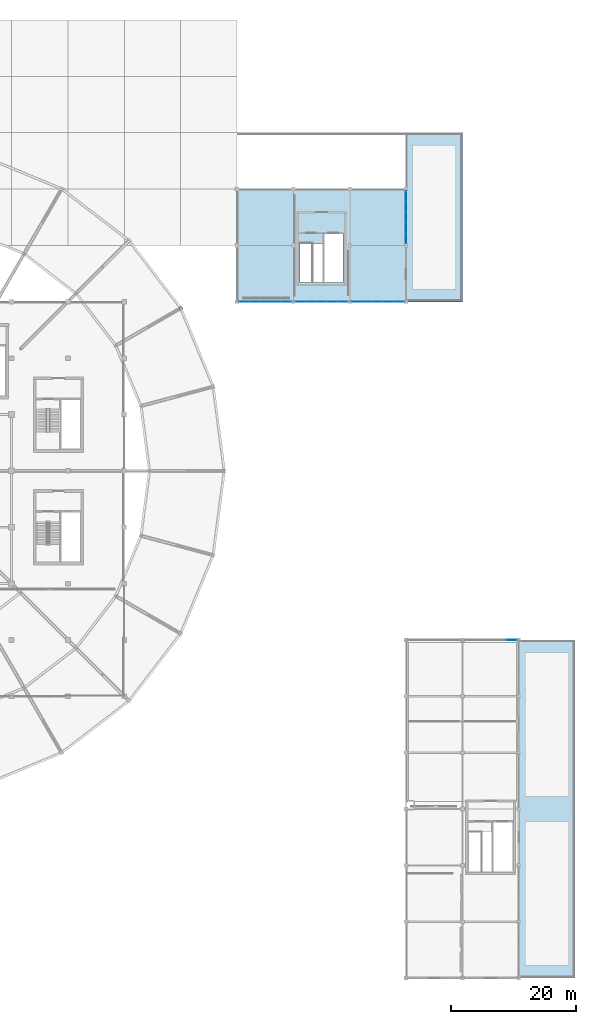
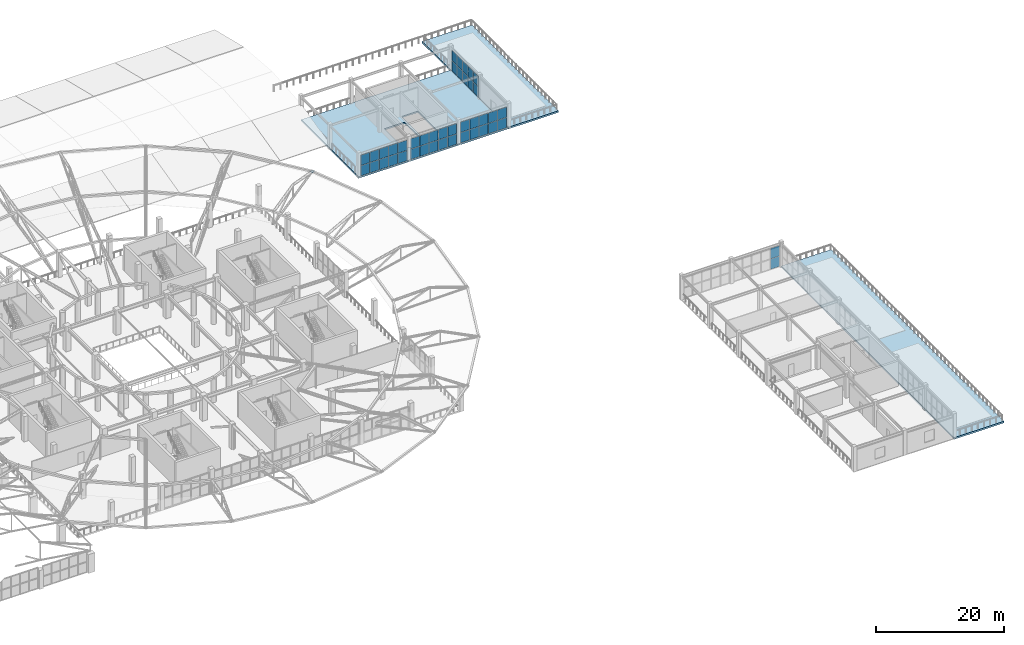
# One storey, part 122 of 167: 43 plates, 3 slabs, 5 elements without a shape of their own.
"""IFC4 building model written with IfcOpenShell, lengths in metres."""

from ifc_helpers import new_model, si_unit, direction, frame, origin, origin_2d, place, context, subcontext, project, spatial, polyline, rectangle, outline, extrude, material, layer, layer_set, type_object, element, aggregate, save


model = new_model("IFC4")

# Units and contexts
model_context = context("Model", 3, precision=1e-05, world=origin(), true_north=direction((0.0, 1.0)))
body_context = subcontext(model_context, "Body", "Model", "MODEL_VIEW")
ifc_project = project(units=[si_unit("LENGTHUNIT", "METRE"), si_unit("AREAUNIT", "SQUARE_METRE"), si_unit("VOLUMEUNIT", "CUBIC_METRE"), si_unit("PLANEANGLEUNIT", "RADIAN"), si_unit("MASSUNIT", "GRAM", prefix="KILO")], contexts=[model_context])

# Site, building, storey
site_placement = place(None, origin())
site = spatial("IfcSite", under=ifc_project, at=site_placement, CompositionType="ELEMENT")
building_placement = place(site_placement, origin())
building = spatial("IfcBuilding", under=site, at=building_placement, Name="Dornveld Trade and Exhibition Forum", CompositionType="ELEMENT")
storey_placement = place(building_placement, frame((0.0, 0.0, 16.800048828125)))
storey = spatial("IfcBuildingStorey", under=building, at=storey_placement, Name="L03", CompositionType="ELEMENT", Elevation=16.800048828125)

# Curtain wall, plates
ifc_material_1 = material(Name="Dark-bronze anodised aluminium and low-E glass", Category="aluminium")
ifc_layer_1 = layer(ifc_material_1, 0.180908203125)
ifc_layer_set_1 = layer_set([ifc_layer_1], Name="Dark-bronze anodised aluminium and low-E glass")
curtain_wall_type_1 = type_object("IfcCurtainWallType", Name="CW-SYS-13", PredefinedType="USERDEFINED", material=ifc_layer_set_1)
curtain_wall_1_placement = place(storey_placement, origin())
curtain_wall_1 = element("IfcCurtainWall", 1, at=curtain_wall_1_placement, inside=storey, type_object=curtain_wall_type_1, Name="L03 unitised curtain wall 121", ObjectType="UNITISED_CURTAIN_WALL", PredefinedType="USERDEFINED")
ifc_material_2 = material(Name="Double-glazed low-E solar control glass", Category="glass")
ifc_layer_2 = layer(ifc_material_2, 0.02587890625)
ifc_layer_set_2 = layer_set([ifc_layer_2], Name="Double-glazed low-E solar control glass")
plate_type_1 = type_object("IfcPlateType", Name="CW-PNL-01", PredefinedType="CURTAIN_PANEL", material=ifc_layer_set_2)
plate_1_placement = place(storey_placement, frame((190.15185546875, 108.0, 0.055908203125), z_axis=(0.0, 0.0, 1.0), x_axis=(1.0, 0.0, 0.0)))
plate_1 = element("IfcPlate", 2, at=plate_1_placement, type_object=plate_type_1, Name="CW-13 panel 1.1", PredefinedType="CURTAIN_PANEL", context=body_context, shape_type="SweptSolid", body=[
    extrude(rectangle(XDim=1.591552734375, YDim=0.02587890625, at=origin_2d()), origin(), (0.0, 0.0, 1.0), 1.94189453125),
])
plate_2_placement = place(storey_placement, frame((190.15185546875, 108.0, 2.05810546875), z_axis=(0.0, 0.0, 1.0), x_axis=(1.0, 0.0, 0.0)))
plate_2 = element("IfcPlate", 3, at=plate_2_placement, type_object=plate_type_1, Name="CW-13 panel 1.2", PredefinedType="CURTAIN_PANEL", context=body_context, shape_type="SweptSolid", body=[
    extrude(rectangle(XDim=1.591552734375, YDim=0.02587890625, at=origin_2d()), origin(), (0.0, 0.0, 1.0), 1.94189453125),
])
plate_3_placement = place(storey_placement, frame((191.818359375, 108.0, 0.055908203125), z_axis=(0.0, 0.0, 1.0), x_axis=(1.0, 0.0, 0.0)))
plate_3 = element("IfcPlate", 4, at=plate_3_placement, type_object=plate_type_1, Name="CW-13 panel 2.1", PredefinedType="CURTAIN_PANEL", context=body_context, shape_type="SweptSolid", body=[
    extrude(rectangle(XDim=1.62158203125, YDim=0.02587890625, at=origin_2d()), origin(), (0.0, 0.0, 1.0), 1.94189453125),
])
plate_4_placement = place(storey_placement, frame((191.818359375, 108.0, 2.05810546875), z_axis=(0.0, 0.0, 1.0), x_axis=(1.0, 0.0, 0.0)))
plate_4 = element("IfcPlate", 5, at=plate_4_placement, type_object=plate_type_1, Name="CW-13 panel 2.2", PredefinedType="CURTAIN_PANEL", context=body_context, shape_type="SweptSolid", body=[
    extrude(rectangle(XDim=1.62158203125, YDim=0.02587890625, at=origin_2d()), origin(), (0.0, 0.0, 1.0), 1.94189453125),
])
plate_5_placement = place(storey_placement, frame((193.5, 108.0, 0.055908203125), z_axis=(0.0, 0.0, 1.0), x_axis=(1.0, 0.0, 0.0)))
plate_5 = element("IfcPlate", 6, at=plate_5_placement, type_object=plate_type_1, Name="CW-13 panel 3.1", PredefinedType="CURTAIN_PANEL", context=body_context, shape_type="SweptSolid", body=[
    extrude(rectangle(XDim=1.62158203125, YDim=0.02587890625, at=origin_2d()), origin(), (0.0, 0.0, 1.0), 1.94189453125),
])
plate_6_placement = place(storey_placement, frame((193.5, 108.0, 2.05810546875), z_axis=(0.0, 0.0, 1.0), x_axis=(1.0, 0.0, 0.0)))
plate_6 = element("IfcPlate", 7, at=plate_6_placement, type_object=plate_type_1, Name="CW-13 panel 3.2", PredefinedType="CURTAIN_PANEL", context=body_context, shape_type="SweptSolid", body=[
    extrude(rectangle(XDim=1.62158203125, YDim=0.02587890625, at=origin_2d()), origin(), (0.0, 0.0, 1.0), 1.94189453125),
])
plate_7_placement = place(storey_placement, frame((195.181640625, 108.0, 0.055908203125), z_axis=(0.0, 0.0, 1.0), x_axis=(1.0, 0.0, 0.0)))
plate_7 = element("IfcPlate", 8, at=plate_7_placement, type_object=plate_type_1, Name="CW-13 panel 4.1", PredefinedType="CURTAIN_PANEL", context=body_context, shape_type="SweptSolid", body=[
    extrude(rectangle(XDim=1.62158203125, YDim=0.02587890625, at=origin_2d()), origin(), (0.0, 0.0, 1.0), 1.94189453125),
])
plate_8_placement = place(storey_placement, frame((195.181640625, 108.0, 2.05810546875), z_axis=(0.0, 0.0, 1.0), x_axis=(1.0, 0.0, 0.0)))
plate_8 = element("IfcPlate", 9, at=plate_8_placement, type_object=plate_type_1, Name="CW-13 panel 4.2", PredefinedType="CURTAIN_PANEL", context=body_context, shape_type="SweptSolid", body=[
    extrude(rectangle(XDim=1.62158203125, YDim=0.02587890625, at=origin_2d()), origin(), (0.0, 0.0, 1.0), 1.94189453125),
])
plate_9_placement = place(storey_placement, frame((196.84814453125, 108.0, 0.055908203125), z_axis=(0.0, 0.0, 1.0), x_axis=(1.0, 0.0, 0.0)))
plate_9 = element("IfcPlate", 10, at=plate_9_placement, type_object=plate_type_1, Name="CW-13 panel 5.1", PredefinedType="CURTAIN_PANEL", context=body_context, shape_type="SweptSolid", body=[
    extrude(rectangle(XDim=1.591552734375, YDim=0.02587890625, at=origin_2d()), origin(), (0.0, 0.0, 1.0), 1.94189453125),
])
plate_10_placement = place(storey_placement, frame((196.84814453125, 108.0, 2.05810546875), z_axis=(0.0, 0.0, 1.0), x_axis=(1.0, 0.0, 0.0)))
plate_10 = element("IfcPlate", 11, at=plate_10_placement, type_object=plate_type_1, Name="CW-13 panel 5.2", PredefinedType="CURTAIN_PANEL", context=body_context, shape_type="SweptSolid", body=[
    extrude(rectangle(XDim=1.591552734375, YDim=0.02587890625, at=origin_2d()), origin(), (0.0, 0.0, 1.0), 1.94189453125),
])
aggregate(curtain_wall_1, [plate_1, plate_2, plate_3, plate_4, plate_5, plate_6, plate_7, plate_8, plate_9, plate_10])

ifc_material_3 = material(Name="Dark-bronze anodised aluminium and low-E glass", Category="aluminium")
ifc_layer_3 = layer(ifc_material_3, 0.18408203125)
ifc_layer_set_3 = layer_set([ifc_layer_3], Name="Dark-bronze anodised aluminium and low-E glass")
curtain_wall_type_2 = type_object("IfcCurtainWallType", Name="CW-SYS-14", PredefinedType="USERDEFINED", material=ifc_layer_set_3)
curtain_wall_2_placement = place(storey_placement, origin())
curtain_wall_2 = element("IfcCurtainWall", 12, at=curtain_wall_2_placement, inside=storey, type_object=curtain_wall_type_2, Name="L03 unitised curtain wall 122", ObjectType="UNITISED_CURTAIN_WALL", PredefinedType="USERDEFINED")
ifc_material_4 = material(Name="Double-glazed low-E solar control glass", Category="glass")
ifc_layer_4 = layer(ifc_material_4, 0.028076171875)
ifc_layer_set_4 = layer_set([ifc_layer_4], Name="Double-glazed low-E solar control glass")
plate_type_2 = type_object("IfcPlateType", Name="CW-PNL-02", PredefinedType="CURTAIN_PANEL", material=ifc_layer_set_4)
plate_11_placement = place(storey_placement, frame((198.0, 118.15185546875, 0.055908203125), z_axis=(0.0, 0.0, 1.0), x_axis=(0.0, 1.0, 0.0)))
plate_11 = element("IfcPlate", 13, at=plate_11_placement, type_object=plate_type_2, Name="CW-14 panel 1.1", PredefinedType="CURTAIN_PANEL", context=body_context, shape_type="SweptSolid", body=[
    extrude(rectangle(XDim=1.591552734375, YDim=0.028076171875, at=origin_2d()), origin(), (0.0, 0.0, 1.0), 1.94189453125),
])
plate_12_placement = place(storey_placement, frame((198.0, 118.15185546875, 2.05810546875), z_axis=(0.0, 0.0, 1.0), x_axis=(0.0, 1.0, 0.0)))
plate_12 = element("IfcPlate", 14, at=plate_12_placement, type_object=plate_type_2, Name="CW-14 panel 1.2", PredefinedType="CURTAIN_PANEL", context=body_context, shape_type="SweptSolid", body=[
    extrude(rectangle(XDim=1.591552734375, YDim=0.028076171875, at=origin_2d()), origin(), (0.0, 0.0, 1.0), 1.94189453125),
])
plate_13_placement = place(storey_placement, frame((198.0, 119.818359375, 0.055908203125), z_axis=(0.0, 0.0, 1.0), x_axis=(0.0, 1.0, 0.0)))
plate_13 = element("IfcPlate", 15, at=plate_13_placement, type_object=plate_type_2, Name="CW-14 panel 2.1", PredefinedType="CURTAIN_PANEL", context=body_context, shape_type="SweptSolid", body=[
    extrude(rectangle(XDim=1.62158203125, YDim=0.028076171875, at=origin_2d()), origin(), (0.0, 0.0, 1.0), 1.94189453125),
])
plate_14_placement = place(storey_placement, frame((198.0, 119.818359375, 2.05810546875), z_axis=(0.0, 0.0, 1.0), x_axis=(0.0, 1.0, 0.0)))
plate_14 = element("IfcPlate", 16, at=plate_14_placement, type_object=plate_type_2, Name="CW-14 panel 2.2", PredefinedType="CURTAIN_PANEL", context=body_context, shape_type="SweptSolid", body=[
    extrude(rectangle(XDim=1.62158203125, YDim=0.028076171875, at=origin_2d()), origin(), (0.0, 0.0, 1.0), 1.94189453125),
])
plate_15_placement = place(storey_placement, frame((198.0, 121.5, 0.055908203125), z_axis=(0.0, 0.0, 1.0), x_axis=(0.0, 1.0, 0.0)))
plate_15 = element("IfcPlate", 17, at=plate_15_placement, type_object=plate_type_2, Name="CW-14 panel 3.1", PredefinedType="CURTAIN_PANEL", context=body_context, shape_type="SweptSolid", body=[
    extrude(rectangle(XDim=1.62158203125, YDim=0.028076171875, at=origin_2d()), origin(), (0.0, 0.0, 1.0), 1.94189453125),
])
plate_16_placement = place(storey_placement, frame((198.0, 121.5, 2.05810546875), z_axis=(0.0, 0.0, 1.0), x_axis=(0.0, 1.0, 0.0)))
plate_16 = element("IfcPlate", 18, at=plate_16_placement, type_object=plate_type_2, Name="CW-14 panel 3.2", PredefinedType="CURTAIN_PANEL", context=body_context, shape_type="SweptSolid", body=[
    extrude(rectangle(XDim=1.62158203125, YDim=0.028076171875, at=origin_2d()), origin(), (0.0, 0.0, 1.0), 1.94189453125),
])
plate_17_placement = place(storey_placement, frame((198.0, 123.181640625, 0.055908203125), z_axis=(0.0, 0.0, 1.0), x_axis=(0.0, 1.0, 0.0)))
plate_17 = element("IfcPlate", 19, at=plate_17_placement, type_object=plate_type_2, Name="CW-14 panel 4.1", PredefinedType="CURTAIN_PANEL", context=body_context, shape_type="SweptSolid", body=[
    extrude(rectangle(XDim=1.62158203125, YDim=0.028076171875, at=origin_2d()), origin(), (0.0, 0.0, 1.0), 1.94189453125),
])
plate_18_placement = place(storey_placement, frame((198.0, 123.181640625, 2.05810546875), z_axis=(0.0, 0.0, 1.0), x_axis=(0.0, 1.0, 0.0)))
plate_18 = element("IfcPlate", 20, at=plate_18_placement, type_object=plate_type_2, Name="CW-14 panel 4.2", PredefinedType="CURTAIN_PANEL", context=body_context, shape_type="SweptSolid", body=[
    extrude(rectangle(XDim=1.62158203125, YDim=0.028076171875, at=origin_2d()), origin(), (0.0, 0.0, 1.0), 1.94189453125),
])
plate_19_placement = place(storey_placement, frame((198.0, 124.84814453125, 0.055908203125), z_axis=(0.0, 0.0, 1.0), x_axis=(0.0, 1.0, 0.0)))
plate_19 = element("IfcPlate", 21, at=plate_19_placement, type_object=plate_type_2, Name="CW-14 panel 5.1", PredefinedType="CURTAIN_PANEL", context=body_context, shape_type="SweptSolid", body=[
    extrude(rectangle(XDim=1.591552734375, YDim=0.028076171875, at=origin_2d()), origin(), (0.0, 0.0, 1.0), 1.94189453125),
])
plate_20_placement = place(storey_placement, frame((198.0, 124.84814453125, 2.05810546875), z_axis=(0.0, 0.0, 1.0), x_axis=(0.0, 1.0, 0.0)))
plate_20 = element("IfcPlate", 22, at=plate_20_placement, type_object=plate_type_2, Name="CW-14 panel 5.2", PredefinedType="CURTAIN_PANEL", context=body_context, shape_type="SweptSolid", body=[
    extrude(rectangle(XDim=1.591552734375, YDim=0.028076171875, at=origin_2d()), origin(), (0.0, 0.0, 1.0), 1.94189453125),
])
aggregate(curtain_wall_2, [plate_11, plate_12, plate_13, plate_14, plate_15, plate_16, plate_17, plate_18, plate_19, plate_20])

ifc_material_5 = material(Name="Dark-bronze anodised aluminium and low-E glass", Category="aluminium")
ifc_layer_5 = layer(ifc_material_5, 0.156982421875)
ifc_layer_set_5 = layer_set([ifc_layer_5], Name="Dark-bronze anodised aluminium and low-E glass")
curtain_wall_type_3 = type_object("IfcCurtainWallType", Name="CW-SYS-05", PredefinedType="USERDEFINED", material=ifc_layer_set_5)
curtain_wall_3_placement = place(storey_placement, origin())
curtain_wall_3 = element("IfcCurtainWall", 23, at=curtain_wall_3_placement, inside=storey, type_object=curtain_wall_type_3, Name="L03 unitised curtain wall 95", ObjectType="UNITISED_CURTAIN_WALL", PredefinedType="USERDEFINED")
ifc_material_6 = material(Name="Double-glazed low-E solar control glass", Category="glass")
ifc_layer_6 = layer(ifc_material_6, 0.0380859375)
ifc_layer_set_6 = layer_set([ifc_layer_6], Name="Double-glazed low-E solar control glass")
plate_type_3 = type_object("IfcPlateType", Name="CW-PNL-07", PredefinedType="CURTAIN_PANEL", material=ifc_layer_set_6)
plate_21_placement = place(storey_placement, frame((214.84814453125, 54.0, 0.055908203125), z_axis=(0.0, 0.0, 1.0), x_axis=(-1.0, 0.0, 0.0)))
plate_21 = element("IfcPlate", 24, at=plate_21_placement, type_object=plate_type_3, Name="CW-05 panel 1.1", PredefinedType="CURTAIN_PANEL", context=body_context, shape_type="SweptSolid", body=[
    extrude(rectangle(XDim=1.591552734375, YDim=0.0380859375, at=origin_2d()), origin(), (0.0, 0.0, 1.0), 1.94189453125),
])
plate_22_placement = place(storey_placement, frame((214.84814453125, 54.0, 2.05810546875), z_axis=(0.0, 0.0, 1.0), x_axis=(-1.0, 0.0, 0.0)))
plate_22 = element("IfcPlate", 25, at=plate_22_placement, type_object=plate_type_3, Name="CW-05 panel 1.2", PredefinedType="CURTAIN_PANEL", context=body_context, shape_type="SweptSolid", body=[
    extrude(rectangle(XDim=1.591552734375, YDim=0.0380859375, at=origin_2d()), origin(), (0.0, 0.0, 1.0), 1.94189453125),
])
aggregate(curtain_wall_3, [plate_21, plate_22])

ifc_material_7 = material(Name="Dark-bronze anodised aluminium and low-E glass", Category="aluminium")
ifc_layer_7 = layer(ifc_material_7, 0.175048828125)
ifc_layer_set_7 = layer_set([ifc_layer_7], Name="Dark-bronze anodised aluminium and low-E glass")
curtain_wall_type_4 = type_object("IfcCurtainWallType", Name="CW-SYS-11", PredefinedType="USERDEFINED", material=ifc_layer_set_7)
curtain_wall_4_placement = place(storey_placement, origin())
curtain_wall_4 = element("IfcCurtainWall", 26, at=curtain_wall_4_placement, inside=storey, type_object=curtain_wall_type_4, Name="L03 unitised curtain wall 119", ObjectType="UNITISED_CURTAIN_WALL", PredefinedType="USERDEFINED")
plate_23_placement = place(storey_placement, frame((172.15185546875, 108.0, 0.055908203125), z_axis=(0.0, 0.0, 1.0), x_axis=(1.0, 0.0, 0.0)))
plate_23 = element("IfcPlate", 27, at=plate_23_placement, type_object=plate_type_3, Name="CW-11 panel 1.1", PredefinedType="CURTAIN_PANEL", context=body_context, shape_type="SweptSolid", body=[
    extrude(rectangle(XDim=1.591552734375, YDim=0.0380859375, at=origin_2d()), origin(), (0.0, 0.0, 1.0), 1.94189453125),
])
plate_24_placement = place(storey_placement, frame((172.15185546875, 108.0, 2.05810546875), z_axis=(0.0, 0.0, 1.0), x_axis=(1.0, 0.0, 0.0)))
plate_24 = element("IfcPlate", 28, at=plate_24_placement, type_object=plate_type_3, Name="CW-11 panel 1.2", PredefinedType="CURTAIN_PANEL", context=body_context, shape_type="SweptSolid", body=[
    extrude(rectangle(XDim=1.591552734375, YDim=0.0380859375, at=origin_2d()), origin(), (0.0, 0.0, 1.0), 1.94189453125),
])
plate_25_placement = place(storey_placement, frame((173.818359375, 108.0, 0.055908203125), z_axis=(0.0, 0.0, 1.0), x_axis=(1.0, 0.0, 0.0)))
plate_25 = element("IfcPlate", 29, at=plate_25_placement, type_object=plate_type_3, Name="CW-11 panel 2.1", PredefinedType="CURTAIN_PANEL", context=body_context, shape_type="SweptSolid", body=[
    extrude(rectangle(XDim=1.62158203125, YDim=0.0380859375, at=origin_2d()), origin(), (0.0, 0.0, 1.0), 1.94189453125),
])
plate_26_placement = place(storey_placement, frame((173.818359375, 108.0, 2.05810546875), z_axis=(0.0, 0.0, 1.0), x_axis=(1.0, 0.0, 0.0)))
plate_26 = element("IfcPlate", 30, at=plate_26_placement, type_object=plate_type_3, Name="CW-11 panel 2.2", PredefinedType="CURTAIN_PANEL", context=body_context, shape_type="SweptSolid", body=[
    extrude(rectangle(XDim=1.62158203125, YDim=0.0380859375, at=origin_2d()), origin(), (0.0, 0.0, 1.0), 1.94189453125),
])
plate_27_placement = place(storey_placement, frame((175.5, 108.0, 0.055908203125), z_axis=(0.0, 0.0, 1.0), x_axis=(1.0, 0.0, 0.0)))
plate_27 = element("IfcPlate", 31, at=plate_27_placement, type_object=plate_type_3, Name="CW-11 panel 3.1", PredefinedType="CURTAIN_PANEL", context=body_context, shape_type="SweptSolid", body=[
    extrude(rectangle(XDim=1.62158203125, YDim=0.0380859375, at=origin_2d()), origin(), (0.0, 0.0, 1.0), 1.94189453125),
])
plate_28_placement = place(storey_placement, frame((175.5, 108.0, 2.05810546875), z_axis=(0.0, 0.0, 1.0), x_axis=(1.0, 0.0, 0.0)))
plate_28 = element("IfcPlate", 32, at=plate_28_placement, type_object=plate_type_3, Name="CW-11 panel 3.2", PredefinedType="CURTAIN_PANEL", context=body_context, shape_type="SweptSolid", body=[
    extrude(rectangle(XDim=1.62158203125, YDim=0.0380859375, at=origin_2d()), origin(), (0.0, 0.0, 1.0), 1.94189453125),
])
plate_29_placement = place(storey_placement, frame((177.181640625, 108.0, 0.055908203125), z_axis=(0.0, 0.0, 1.0), x_axis=(1.0, 0.0, 0.0)))
plate_29 = element("IfcPlate", 33, at=plate_29_placement, type_object=plate_type_3, Name="CW-11 panel 4.1", PredefinedType="CURTAIN_PANEL", context=body_context, shape_type="SweptSolid", body=[
    extrude(rectangle(XDim=1.62158203125, YDim=0.0380859375, at=origin_2d()), origin(), (0.0, 0.0, 1.0), 1.94189453125),
])
plate_30_placement = place(storey_placement, frame((177.181640625, 108.0, 2.05810546875), z_axis=(0.0, 0.0, 1.0), x_axis=(1.0, 0.0, 0.0)))
plate_30 = element("IfcPlate", 34, at=plate_30_placement, type_object=plate_type_3, Name="CW-11 panel 4.2", PredefinedType="CURTAIN_PANEL", context=body_context, shape_type="SweptSolid", body=[
    extrude(rectangle(XDim=1.62158203125, YDim=0.0380859375, at=origin_2d()), origin(), (0.0, 0.0, 1.0), 1.94189453125),
])
plate_31_placement = place(storey_placement, frame((178.84814453125, 108.0, 0.055908203125), z_axis=(0.0, 0.0, 1.0), x_axis=(1.0, 0.0, 0.0)))
plate_31 = element("IfcPlate", 35, at=plate_31_placement, type_object=plate_type_3, Name="CW-11 panel 5.1", PredefinedType="CURTAIN_PANEL", context=body_context, shape_type="SweptSolid", body=[
    extrude(rectangle(XDim=1.591552734375, YDim=0.0380859375, at=origin_2d()), origin(), (0.0, 0.0, 1.0), 1.94189453125),
])
plate_32_placement = place(storey_placement, frame((178.84814453125, 108.0, 2.05810546875), z_axis=(0.0, 0.0, 1.0), x_axis=(1.0, 0.0, 0.0)))
plate_32 = element("IfcPlate", 36, at=plate_32_placement, type_object=plate_type_3, Name="CW-11 panel 5.2", PredefinedType="CURTAIN_PANEL", context=body_context, shape_type="SweptSolid", body=[
    extrude(rectangle(XDim=1.591552734375, YDim=0.0380859375, at=origin_2d()), origin(), (0.0, 0.0, 1.0), 1.94189453125),
])
aggregate(curtain_wall_4, [plate_23, plate_24, plate_25, plate_26, plate_27, plate_28, plate_29, plate_30, plate_31, plate_32])

ifc_material_8 = material(Name="Dark-bronze anodised aluminium and low-E glass", Category="aluminium")
ifc_layer_8 = layer(ifc_material_8, 0.177978515625)
ifc_layer_set_8 = layer_set([ifc_layer_8], Name="Dark-bronze anodised aluminium and low-E glass")
curtain_wall_type_5 = type_object("IfcCurtainWallType", Name="CW-SYS-12", PredefinedType="USERDEFINED", material=ifc_layer_set_8)
curtain_wall_5_placement = place(storey_placement, origin())
curtain_wall_5 = element("IfcCurtainWall", 37, at=curtain_wall_5_placement, inside=storey, type_object=curtain_wall_type_5, Name="L03 unitised curtain wall 120", ObjectType="UNITISED_CURTAIN_WALL", PredefinedType="USERDEFINED")
ifc_material_9 = material(Name="Double-glazed low-E solar control glass", Category="glass")
ifc_layer_9 = layer(ifc_material_9, 0.0400390625)
ifc_layer_set_9 = layer_set([ifc_layer_9], Name="Double-glazed low-E solar control glass")
plate_type_4 = type_object("IfcPlateType", Name="CW-PNL-08", PredefinedType="CURTAIN_PANEL", material=ifc_layer_set_9)
plate_33_placement = place(storey_placement, frame((181.15185546875, 108.0, 0.055908203125), z_axis=(0.0, 0.0, 1.0), x_axis=(1.0, 0.0, 0.0)))
plate_33 = element("IfcPlate", 38, at=plate_33_placement, type_object=plate_type_4, Name="CW-12 panel 1.1", PredefinedType="CURTAIN_PANEL", context=body_context, shape_type="SweptSolid", body=[
    extrude(rectangle(XDim=1.591552734375, YDim=0.0400390625, at=origin_2d()), origin(), (0.0, 0.0, 1.0), 1.94189453125),
])
plate_34_placement = place(storey_placement, frame((181.15185546875, 108.0, 2.05810546875), z_axis=(0.0, 0.0, 1.0), x_axis=(1.0, 0.0, 0.0)))
plate_34 = element("IfcPlate", 39, at=plate_34_placement, type_object=plate_type_4, Name="CW-12 panel 1.2", PredefinedType="CURTAIN_PANEL", context=body_context, shape_type="SweptSolid", body=[
    extrude(rectangle(XDim=1.591552734375, YDim=0.0400390625, at=origin_2d()), origin(), (0.0, 0.0, 1.0), 1.94189453125),
])
plate_35_placement = place(storey_placement, frame((182.818359375, 108.0, 0.055908203125), z_axis=(0.0, 0.0, 1.0), x_axis=(1.0, 0.0, 0.0)))
plate_35 = element("IfcPlate", 40, at=plate_35_placement, type_object=plate_type_4, Name="CW-12 panel 2.1", PredefinedType="CURTAIN_PANEL", context=body_context, shape_type="SweptSolid", body=[
    extrude(rectangle(XDim=1.62158203125, YDim=0.0400390625, at=origin_2d()), origin(), (0.0, 0.0, 1.0), 1.94189453125),
])
plate_36_placement = place(storey_placement, frame((182.818359375, 108.0, 2.05810546875), z_axis=(0.0, 0.0, 1.0), x_axis=(1.0, 0.0, 0.0)))
plate_36 = element("IfcPlate", 41, at=plate_36_placement, type_object=plate_type_4, Name="CW-12 panel 2.2", PredefinedType="CURTAIN_PANEL", context=body_context, shape_type="SweptSolid", body=[
    extrude(rectangle(XDim=1.62158203125, YDim=0.0400390625, at=origin_2d()), origin(), (0.0, 0.0, 1.0), 1.94189453125),
])
plate_37_placement = place(storey_placement, frame((184.5, 108.0, 0.055908203125), z_axis=(0.0, 0.0, 1.0), x_axis=(1.0, 0.0, 0.0)))
plate_37 = element("IfcPlate", 42, at=plate_37_placement, type_object=plate_type_4, Name="CW-12 panel 3.1", PredefinedType="CURTAIN_PANEL", context=body_context, shape_type="SweptSolid", body=[
    extrude(rectangle(XDim=1.62158203125, YDim=0.0400390625, at=origin_2d()), origin(), (0.0, 0.0, 1.0), 1.94189453125),
])
plate_38_placement = place(storey_placement, frame((184.5, 108.0, 2.05810546875), z_axis=(0.0, 0.0, 1.0), x_axis=(1.0, 0.0, 0.0)))
plate_38 = element("IfcPlate", 43, at=plate_38_placement, type_object=plate_type_4, Name="CW-12 panel 3.2", PredefinedType="CURTAIN_PANEL", context=body_context, shape_type="SweptSolid", body=[
    extrude(rectangle(XDim=1.62158203125, YDim=0.0400390625, at=origin_2d()), origin(), (0.0, 0.0, 1.0), 1.94189453125),
])
plate_39_placement = place(storey_placement, frame((186.181640625, 108.0, 0.055908203125), z_axis=(0.0, 0.0, 1.0), x_axis=(1.0, 0.0, 0.0)))
plate_39 = element("IfcPlate", 44, at=plate_39_placement, type_object=plate_type_4, Name="CW-12 panel 4.1", PredefinedType="CURTAIN_PANEL", context=body_context, shape_type="SweptSolid", body=[
    extrude(rectangle(XDim=1.62158203125, YDim=0.0400390625, at=origin_2d()), origin(), (0.0, 0.0, 1.0), 1.94189453125),
])
plate_40_placement = place(storey_placement, frame((186.181640625, 108.0, 2.05810546875), z_axis=(0.0, 0.0, 1.0), x_axis=(1.0, 0.0, 0.0)))
plate_40 = element("IfcPlate", 45, at=plate_40_placement, type_object=plate_type_4, Name="CW-12 panel 4.2", PredefinedType="CURTAIN_PANEL", context=body_context, shape_type="SweptSolid", body=[
    extrude(rectangle(XDim=1.62158203125, YDim=0.0400390625, at=origin_2d()), origin(), (0.0, 0.0, 1.0), 1.94189453125),
])
plate_41_placement = place(storey_placement, frame((187.84814453125, 108.0, 0.055908203125), z_axis=(0.0, 0.0, 1.0), x_axis=(1.0, 0.0, 0.0)))
plate_41 = element("IfcPlate", 46, at=plate_41_placement, type_object=plate_type_4, Name="CW-12 panel 5.1", PredefinedType="CURTAIN_PANEL", context=body_context, shape_type="SweptSolid", body=[
    extrude(rectangle(XDim=1.591552734375, YDim=0.0400390625, at=origin_2d()), origin(), (0.0, 0.0, 1.0), 1.94189453125),
])
plate_42_placement = place(storey_placement, frame((187.84814453125, 108.0, 2.05810546875), z_axis=(0.0, 0.0, 1.0), x_axis=(1.0, 0.0, 0.0)))
plate_42 = element("IfcPlate", 47, at=plate_42_placement, type_object=plate_type_4, Name="CW-12 panel 5.2", PredefinedType="CURTAIN_PANEL", context=body_context, shape_type="SweptSolid", body=[
    extrude(rectangle(XDim=1.591552734375, YDim=0.0400390625, at=origin_2d()), origin(), (0.0, 0.0, 1.0), 1.94189453125),
])
aggregate(curtain_wall_5, [plate_33, plate_34, plate_35, plate_36, plate_37, plate_38, plate_39, plate_40, plate_41, plate_42])

# Plate
ifc_material_10 = material(Name="Steel S355J2", Category="steel")
ifc_layer_10 = layer(ifc_material_10, 0.02001953125)
ifc_layer_set_10 = layer_set([ifc_layer_10], Name="Steel S355J2")
plate_type_5 = type_object("IfcPlateType", Name="PL-CAP-520x20", PredefinedType="SHEET", material=ifc_layer_set_10)
plate_43_placement = place(storey_placement, frame((162.033203125, 107.0, 4.7900390625), z_axis=(0.0, 0.0, 1.0), x_axis=(0.866025403784, 0.5, 0.0)))
element("IfcPlate", 48, at=plate_43_placement, inside=storey, type_object=plate_type_5, Name="Floating disc tip closure plate 3", PredefinedType="SHEET", context=body_context, shape_type="SweptSolid", body=[
    extrude(rectangle(XDim=0.52001953125, YDim=0.52001953125, at=origin_2d()), origin(), (0.0, 0.0, 1.0), 0.02001953125),
])

# Slabs
ifc_material_11 = material(Name="Precast concrete C50/60", Category="concrete")
ifc_layer_11 = layer(ifc_material_11, 0.260009765625)
ifc_layer_set_11 = layer_set([ifc_layer_11], Name="Precast concrete C50/60")
slab_type_1 = type_object("IfcSlabType", Name="SL-OFF-260", PredefinedType="FLOOR", material=ifc_layer_set_11)
slab_1_placement = place(storey_placement, frame((0.0, 0.0, -0.280029296875)))
element("IfcSlab", 49, at=slab_1_placement, inside=storey, type_object=slab_type_1, Name="L03 structural slab panel 73", PredefinedType="FLOOR", context=body_context, shape_type="SweptSolid", body=[
    extrude(outline(polyline([(171.0, 108.0), (198.0, 108.0), (198.0, 126.0), (171.0, 126.0), (171.0, 108.0)]), holes=[polyline([(181.050048828125, 111.050048828125), (184.64990234375, 111.050048828125), (184.64990234375, 117.330078125), (181.050048828125, 117.330078125), (181.050048828125, 111.050048828125)]), polyline([(185.0, 111.050048828125), (187.949951171875, 111.050048828125), (187.949951171875, 118.89990234375), (185.0, 118.89990234375), (185.0, 111.050048828125)])]), origin(), (0.0, 0.0, 1.0), 0.280029296875),
])
ifc_material_12 = material(Name="Concrete C40/50", Category="concrete")
ifc_layer_12 = layer(ifc_material_12, 0.320068359375)
ifc_layer_set_12 = layer_set([ifc_layer_12], Name="Concrete C40/50")
slab_type_2 = type_object("IfcSlabType", Name="SL-TERR-320", PredefinedType="FLOOR", material=ifc_layer_set_12)
slab_2_placement = place(storey_placement, frame((0.0, 0.0, -0.320068359375)))
element("IfcSlab", 50, at=slab_2_placement, inside=storey, type_object=slab_type_2, Name="L03 structural slab panel 72", PredefinedType="FLOOR", context=body_context, shape_type="SweptSolid", body=[
    extrude(outline(polyline([(216.0, 0.0), (225.0, 0.0), (225.0, 54.0), (216.0, 54.0), (216.0, 0.0)])), origin(), (0.0, 0.0, 1.0), 0.320068359375),
])
slab_3_placement = place(storey_placement, frame((0.0, 0.0, -0.320068359375)))
element("IfcSlab", 51, at=slab_3_placement, inside=storey, type_object=slab_type_2, Name="L03 structural slab panel 74", PredefinedType="FLOOR", context=body_context, shape_type="SweptSolid", body=[
    extrude(outline(polyline([(198.0, 108.0), (207.0, 108.0), (207.0, 135.0), (198.0, 135.0), (198.0, 108.0)])), origin(), (0.0, 0.0, 1.0), 0.320068359375),
])

save(model, "model.ifc")
